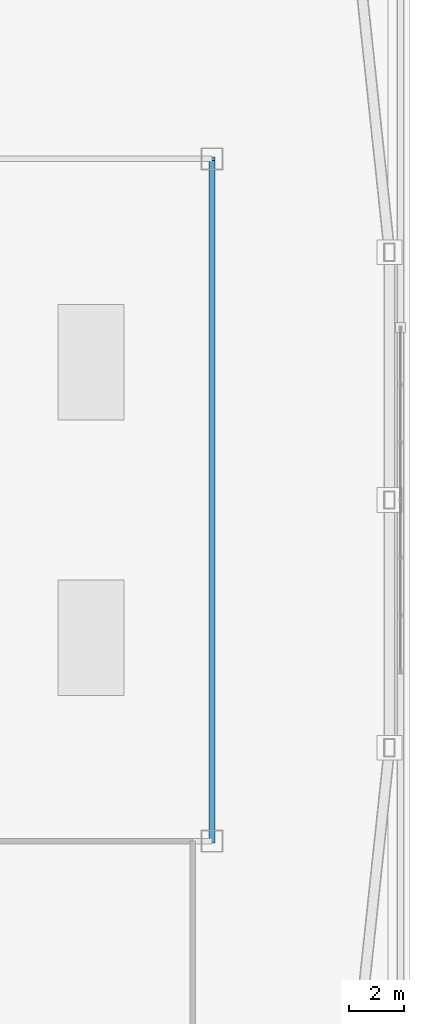
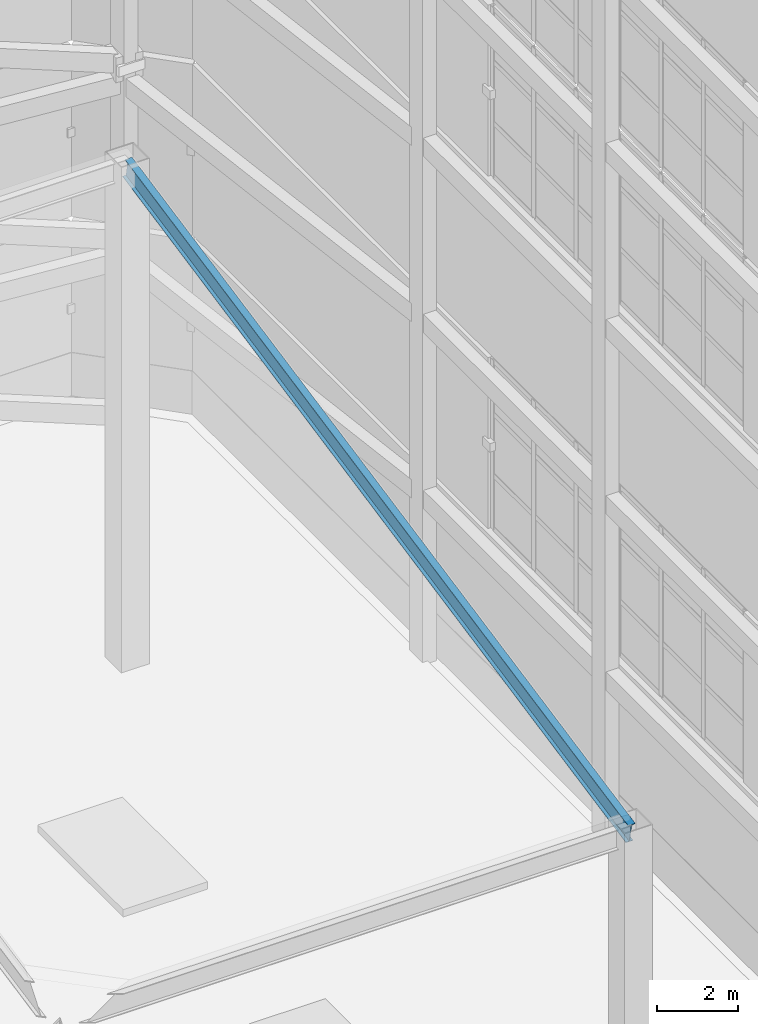
# One storey, part 22 of 47: 1 beam.
"""IFC4 building model written with IfcOpenShell, lengths in metres."""

from ifc_helpers import new_model, si_unit, direction, frame, origin, origin_2d, place, context, subcontext, project, spatial, i_section, extrude, material, material_profile, profile_set, type_object, element, save


model = new_model("IFC4")

# Units and contexts
model_context = context("Model", 3, precision=1e-05, world=origin(), true_north=direction((0.0, 1.0)))
body_context = subcontext(model_context, "Body", "Model", "MODEL_VIEW")
ifc_project = project(units=[si_unit("LENGTHUNIT", "METRE"), si_unit("AREAUNIT", "SQUARE_METRE"), si_unit("VOLUMEUNIT", "CUBIC_METRE"), si_unit("PLANEANGLEUNIT", "RADIAN"), si_unit("MASSUNIT", "GRAM", prefix="KILO")], contexts=[model_context])

# Site, building, storey
site_placement = place(None, origin())
site = spatial("IfcSite", under=ifc_project, at=site_placement, CompositionType="ELEMENT")
building_placement = place(site_placement, origin())
building = spatial("IfcBuilding", under=site, at=building_placement, Name="Qiaolan Cultural Towers", CompositionType="ELEMENT")
storey_placement = place(building_placement, frame((0.0, 0.0, 280.199951171875)))
storey = spatial("IfcBuildingStorey", under=building, at=storey_placement, Name="RF", CompositionType="ELEMENT", Elevation=280.199951171875)

# Beam
ifc_material = material(Name="Steel Q355B", Category="steel")
ifc_material_profile = material_profile(ifc_material, i_section(OverallWidth=0.199951171875, OverallDepth=0.60009765625, WebThickness=0.010986328125, FlangeThickness=0.01708984375, at=origin_2d()), Name="HN600x200x11x17")
ifc_profile_set = profile_set([ifc_material_profile], Name="Steel Q355B")
beam_type = type_object("IfcBeamType", Name="BM-SPD-HN600x200x11x17", PredefinedType="SPANDREL", material=ifc_profile_set)
beam_placement = place(storey_placement, frame((38.199951171875, 21.60009765625, 9.920166015625), z_axis=(0.0, 0.98027513997, 0.197637673426), x_axis=(-1.0, 0.0, 0.0)))
element("IfcBeam", 1, at=beam_placement, inside=storey, type_object=beam_type, Name="T1 Sloped Plant Roof Edge Rafter 4", PredefinedType="SPANDREL", context=body_context, shape_type="SweptSolid", body=[
    extrude(i_section(OverallWidth=0.199951171875, OverallDepth=0.60009765625, WebThickness=0.010986328125, FlangeThickness=0.01708984375, at=origin_2d()), origin(), (0.0, 0.0, 1.0), 25.298828125),
])

save(model, "model.ifc")
